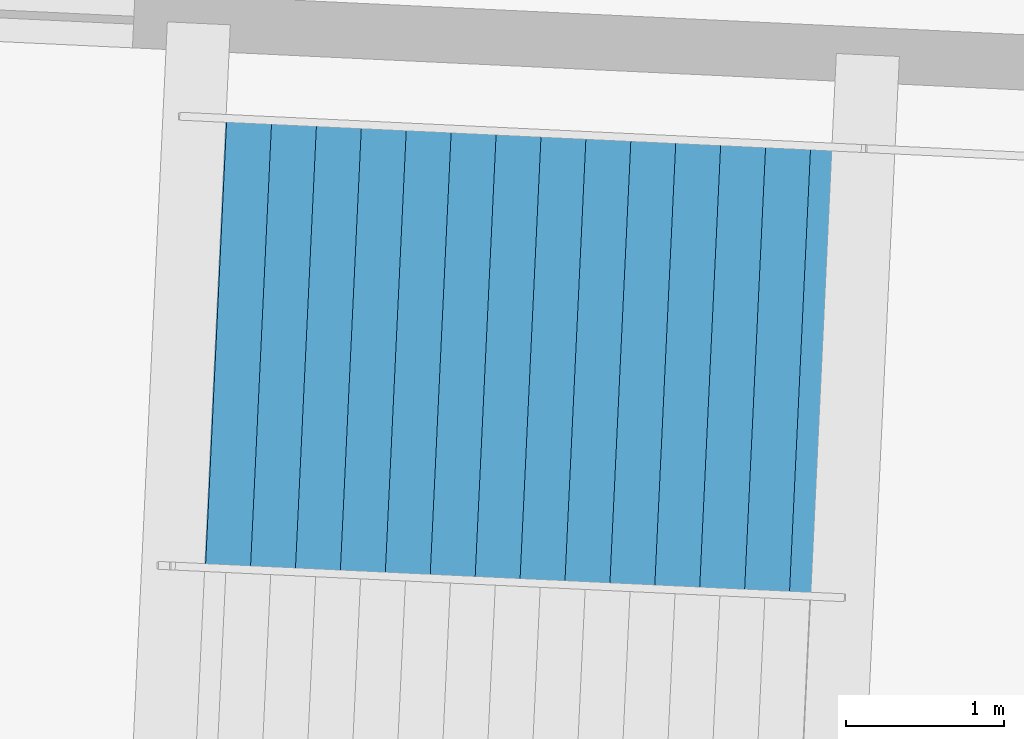
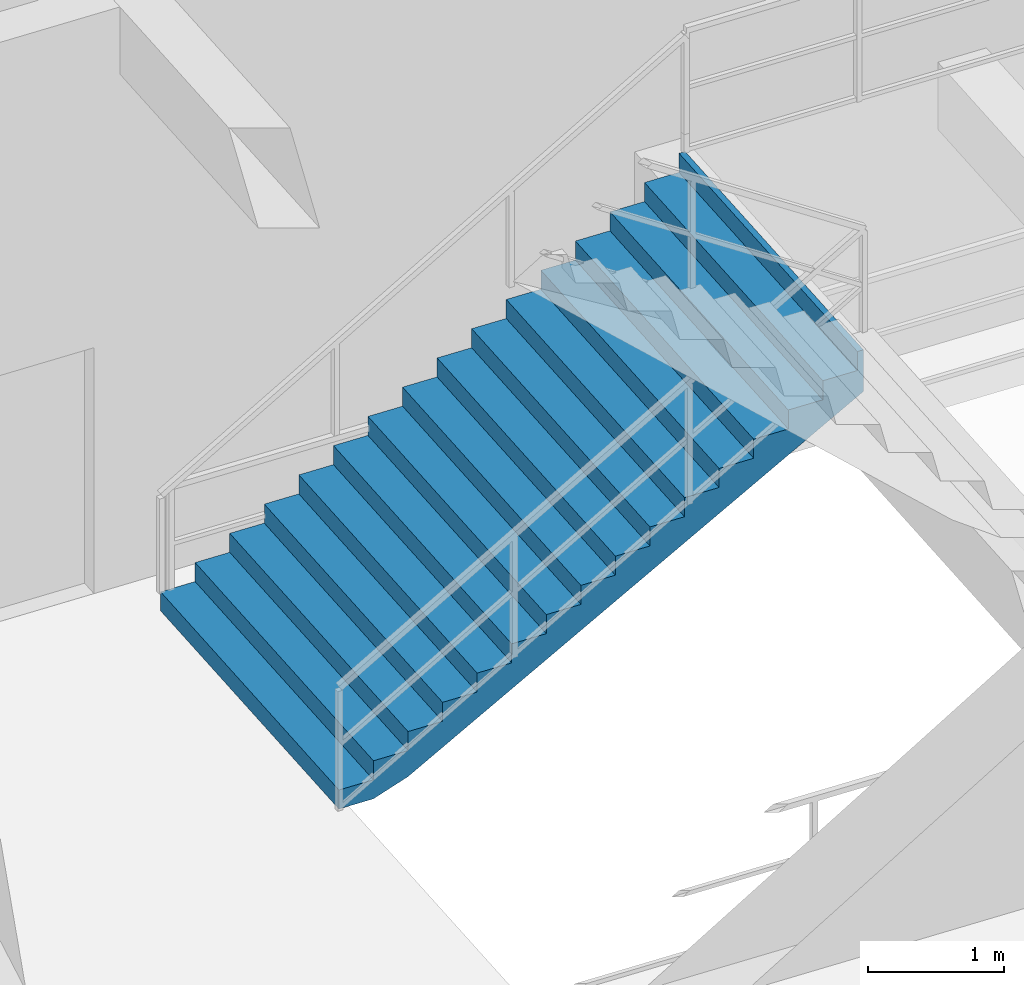
# One storey, part 84 of 103: 1 stair flight, 1 element without a shape of its own.
"""IFC4 building model written with IfcOpenShell, lengths in metres."""

from ifc_helpers import new_model, si_unit, direction, frame, origin, place, context, subcontext, project, spatial, polygons, material, type_object, element, aggregate, save


model = new_model("IFC4")

# Units and contexts
model_context = context("Model", 3, precision=1e-05, world=origin(), true_north=direction((0.0, 1.0)))
body_context = subcontext(model_context, "Body", "Model", "MODEL_VIEW")
ifc_project = project(units=[si_unit("LENGTHUNIT", "METRE"), si_unit("AREAUNIT", "SQUARE_METRE"), si_unit("VOLUMEUNIT", "CUBIC_METRE"), si_unit("PLANEANGLEUNIT", "RADIAN"), si_unit("MASSUNIT", "GRAM", prefix="KILO")], contexts=[model_context])

# Site, building, storey
site_placement = place(None, origin())
site = spatial("IfcSite", under=ifc_project, at=site_placement, CompositionType="ELEMENT")
building_placement = place(site_placement, origin())
building = spatial("IfcBuilding", under=site, at=building_placement, Name="Kazemori Nagisa Stadium", CompositionType="ELEMENT")
storey_placement = place(building_placement, frame((0.0, 0.0, 25.840087890625)))
storey = spatial("IfcBuildingStorey", under=building, at=storey_placement, Name="L05", CompositionType="ELEMENT", Elevation=25.840087890625)

# Stair, stair flight
ifc_material = material(Name="Concrete C36/45 (Fc36)", Category="concrete")
stair_type = type_object("IfcStairType", Name="Stair_CORE_32", PredefinedType="TWO_STRAIGHT_RUN_STAIR", material=ifc_material)
stair_placement = place(storey_placement, origin())
stair = element("IfcStair", 1, at=stair_placement, inside=storey, type_object=stair_type, Name="Exit stair ST12 L05", PredefinedType="TWO_STRAIGHT_RUN_STAIR")
stair_flight_type = type_object("IfcStairFlightType", Name="Flight_CORE_16", PredefinedType="STRAIGHT", material=ifc_material)
stair_flight_placement = place(storey_placement, frame((107.177490234375, 24.015380859375, 0.0), z_axis=(0.0, 0.0, 1.0), x_axis=(0.998881406673, -0.047285678619, 0.0)))
stair_flight = element("IfcStairFlight", 2, at=stair_flight_placement, type_object=stair_flight_type, Name="Exit stair ST12 L05 flight 1", NumberOfRisers=16, NumberOfTreads=15, PredefinedType="STRAIGHT", RiserHeight=0.17, TreadLength=0.285, context=body_context, shape_type="Tessellation", body=[
    polygons([(0.0, -1.425048828125, 0.0), (0.0, -1.425048828125, 0.169921875), (0.284912109375, -1.425048828125, 0.169921875), (0.284912109375, -1.425048828125, 0.340087890625), (0.570068359375, -1.425048828125, 0.340087890625), (0.570068359375, -1.425048828125, 0.510009765625), (0.85498046875, -1.425048828125, 0.510009765625), (0.85498046875, -1.425048828125, 0.679931640625), (1.139892578125, -1.425048828125, 0.679931640625), (1.139892578125, -1.425048828125, 0.85009765625), (1.425048828125, -1.425048828125, 0.85009765625), (1.425048828125, -1.425048828125, 1.02001953125), (1.7099609375, -1.425048828125, 1.02001953125), (1.7099609375, -1.425048828125, 1.18994140625), (1.9951171875, -1.425048828125, 1.18994140625), (1.9951171875, -1.425048828125, 1.360107421875), (2.280029296875, -1.425048828125, 1.360107421875), (2.280029296875, -1.425048828125, 1.530029296875), (2.56494140625, -1.425048828125, 1.530029296875), (2.56494140625, -1.425048828125, 1.699951171875), (2.85009765625, -1.425048828125, 1.699951171875), (2.85009765625, -1.425048828125, 1.8701171875), (3.135009765625, -1.425048828125, 1.8701171875), (3.135009765625, -1.425048828125, 2.0400390625), (3.419921875, -1.425048828125, 2.0400390625), (3.419921875, -1.425048828125, 2.2099609375), (3.705078125, -1.425048828125, 2.2099609375), (3.705078125, -1.425048828125, 2.3798828125), (3.989990234375, -1.425048828125, 2.3798828125), (3.989990234375, -1.425048828125, 2.550048828125), (4.27490234375, -1.425048828125, 2.550048828125), (4.27490234375, -1.425048828125, 2.719970703125), (4.324951171875, -1.425048828125, 2.719970703125), (4.324951171875, -1.425048828125, 2.346923828125), (4.27490234375, -1.425048828125, 2.317138671875), (3.989990234375, -1.425048828125, 2.147216796875), (3.705078125, -1.425048828125, 1.977294921875), (3.419921875, -1.425048828125, 1.80712890625), (3.135009765625, -1.425048828125, 1.63720703125), (2.85009765625, -1.425048828125, 1.46728515625), (2.56494140625, -1.425048828125, 1.297119140625), (2.280029296875, -1.425048828125, 1.127197265625), (1.9951171875, -1.425048828125, 0.957275390625), (1.7099609375, -1.425048828125, 0.787109375), (1.425048828125, -1.425048828125, 0.6171875), (1.139892578125, -1.425048828125, 0.447265625), (0.85498046875, -1.425048828125, 0.277099609375), (0.570068359375, -1.425048828125, 0.107177734375), (0.284912109375, -1.425048828125, 0.0), (0.0, -0.08544921875, 0.0), (0.0, -0.08544921875, 0.169921875), (0.284912109375, -0.08544921875, 0.169921875), (0.284912109375, -0.08544921875, 0.340087890625), (0.570068359375, -0.08544921875, 0.340087890625), (0.570068359375, -0.08544921875, 0.510009765625), (0.85498046875, -0.08544921875, 0.510009765625), (0.85498046875, -0.08544921875, 0.679931640625), (1.139892578125, -0.08544921875, 0.679931640625), (1.139892578125, -0.08544921875, 0.85009765625), (1.425048828125, -0.08544921875, 0.85009765625), (1.425048828125, -0.08544921875, 1.02001953125), (1.7099609375, -0.08544921875, 1.02001953125), (1.7099609375, -0.08544921875, 1.18994140625), (1.9951171875, -0.08544921875, 1.18994140625), (1.9951171875, -0.08544921875, 1.360107421875), (2.280029296875, -0.08544921875, 1.360107421875), (2.280029296875, -0.08544921875, 1.530029296875), (2.56494140625, -0.08544921875, 1.530029296875), (2.56494140625, -0.08544921875, 1.699951171875), (2.85009765625, -0.08544921875, 1.699951171875), (2.85009765625, -0.08544921875, 1.8701171875), (3.135009765625, -0.08544921875, 1.8701171875), (3.135009765625, -0.08544921875, 2.0400390625), (3.419921875, -0.08544921875, 2.0400390625), (3.419921875, -0.08544921875, 2.2099609375), (3.705078125, -0.08544921875, 2.2099609375), (3.705078125, -0.08544921875, 2.3798828125), (3.989990234375, -0.08544921875, 2.3798828125), (3.989990234375, -0.08544921875, 2.550048828125), (4.27490234375, -0.08544921875, 2.550048828125), (4.27490234375, -0.08544921875, 2.719970703125), (4.324951171875, -0.08544921875, 2.719970703125), (4.324951171875, -0.08544921875, 2.346923828125), (4.27490234375, -0.08544921875, 2.317138671875), (3.989990234375, -0.08544921875, 2.147216796875), (3.705078125, -0.08544921875, 1.977294921875), (3.419921875, -0.08544921875, 1.80712890625), (3.135009765625, -0.08544921875, 1.63720703125), (2.85009765625, -0.08544921875, 1.46728515625), (2.56494140625, -0.08544921875, 1.297119140625), (2.280029296875, -0.08544921875, 1.127197265625), (1.9951171875, -0.08544921875, 0.957275390625), (1.7099609375, -0.08544921875, 0.787109375), (1.425048828125, -0.08544921875, 0.6171875), (1.139892578125, -0.08544921875, 0.447265625), (0.85498046875, -0.08544921875, 0.277099609375), (0.570068359375, -0.08544921875, 0.107177734375), (0.284912109375, -0.08544921875, 0.0), (0.0, 0.0, 0.0), (0.0, 0.0, 0.169921875), (0.284912109375, 0.0, 0.169921875), (0.284912109375, 0.0, 0.340087890625), (0.570068359375, 0.0, 0.340087890625), (0.570068359375, 0.0, 0.510009765625), (0.85498046875, 0.0, 0.510009765625), (0.85498046875, 0.0, 0.679931640625), (1.139892578125, 0.0, 0.679931640625), (1.139892578125, 0.0, 0.85009765625), (1.425048828125, 0.0, 0.85009765625), (1.425048828125, 0.0, 1.02001953125), (1.7099609375, 0.0, 1.02001953125), (1.7099609375, 0.0, 1.18994140625), (1.9951171875, 0.0, 1.18994140625), (1.9951171875, 0.0, 1.360107421875), (2.280029296875, 0.0, 1.360107421875), (2.280029296875, 0.0, 1.530029296875), (2.56494140625, 0.0, 1.530029296875), (2.56494140625, 0.0, 1.699951171875), (2.85009765625, 0.0, 1.699951171875), (2.85009765625, 0.0, 1.8701171875), (3.135009765625, 0.0, 1.8701171875), (3.135009765625, 0.0, 2.0400390625), (3.419921875, 0.0, 2.0400390625), (3.419921875, 0.0, 2.2099609375), (3.705078125, 0.0, 2.2099609375), (3.705078125, 0.0, 2.3798828125), (3.989990234375, 0.0, 2.3798828125), (3.989990234375, 0.0, 2.550048828125), (4.27490234375, 0.0, 2.550048828125), (4.27490234375, 0.0, 2.719970703125), (4.324951171875, 0.0, 2.719970703125), (4.324951171875, 0.0, 2.346923828125), (4.27490234375, 0.0, 2.317138671875), (3.989990234375, 0.0, 2.147216796875), (3.705078125, 0.0, 1.977294921875), (3.419921875, 0.0, 1.80712890625), (3.135009765625, 0.0, 1.63720703125), (2.85009765625, 0.0, 1.46728515625), (2.56494140625, 0.0, 1.297119140625), (2.280029296875, 0.0, 1.127197265625), (1.9951171875, 0.0, 0.957275390625), (1.7099609375, 0.0, 0.787109375), (1.425048828125, 0.0, 0.6171875), (1.139892578125, 0.0, 0.447265625), (0.85498046875, 0.0, 0.277099609375), (0.570068359375, 0.0, 0.107177734375), (0.284912109375, 0.0, 0.0), (0.0, 0.08544921875, 0.0), (0.0, 0.08544921875, 0.169921875), (0.284912109375, 0.08544921875, 0.169921875), (0.284912109375, 0.08544921875, 0.340087890625), (0.570068359375, 0.08544921875, 0.340087890625), (0.570068359375, 0.08544921875, 0.510009765625), (0.85498046875, 0.08544921875, 0.510009765625), (0.85498046875, 0.08544921875, 0.679931640625), (1.139892578125, 0.08544921875, 0.679931640625), (1.139892578125, 0.08544921875, 0.85009765625), (1.425048828125, 0.08544921875, 0.85009765625), (1.425048828125, 0.08544921875, 1.02001953125), (1.7099609375, 0.08544921875, 1.02001953125), (1.7099609375, 0.08544921875, 1.18994140625), (1.9951171875, 0.08544921875, 1.18994140625), (1.9951171875, 0.08544921875, 1.360107421875), (2.280029296875, 0.08544921875, 1.360107421875), (2.280029296875, 0.08544921875, 1.530029296875), (2.56494140625, 0.08544921875, 1.530029296875), (2.56494140625, 0.08544921875, 1.699951171875), (2.85009765625, 0.08544921875, 1.699951171875), (2.85009765625, 0.08544921875, 1.8701171875), (3.135009765625, 0.08544921875, 1.8701171875), (3.135009765625, 0.08544921875, 2.0400390625), (3.419921875, 0.08544921875, 2.0400390625), (3.419921875, 0.08544921875, 2.2099609375), (3.705078125, 0.08544921875, 2.2099609375), (3.705078125, 0.08544921875, 2.3798828125), (3.989990234375, 0.08544921875, 2.3798828125), (3.989990234375, 0.08544921875, 2.550048828125), (4.27490234375, 0.08544921875, 2.550048828125), (4.27490234375, 0.08544921875, 2.719970703125), (4.324951171875, 0.08544921875, 2.719970703125), (4.324951171875, 0.08544921875, 2.346923828125), (4.27490234375, 0.08544921875, 2.317138671875), (3.989990234375, 0.08544921875, 2.147216796875), (3.705078125, 0.08544921875, 1.977294921875), (3.419921875, 0.08544921875, 1.80712890625), (3.135009765625, 0.08544921875, 1.63720703125), (2.85009765625, 0.08544921875, 1.46728515625), (2.56494140625, 0.08544921875, 1.297119140625), (2.280029296875, 0.08544921875, 1.127197265625), (1.9951171875, 0.08544921875, 0.957275390625), (1.7099609375, 0.08544921875, 0.787109375), (1.425048828125, 0.08544921875, 0.6171875), (1.139892578125, 0.08544921875, 0.447265625), (0.85498046875, 0.08544921875, 0.277099609375), (0.570068359375, 0.08544921875, 0.107177734375), (0.284912109375, 0.08544921875, 0.0), (0.0, 1.425048828125, 0.0), (0.0, 1.425048828125, 0.169921875), (0.284912109375, 1.425048828125, 0.169921875), (0.284912109375, 1.425048828125, 0.340087890625), (0.570068359375, 1.425048828125, 0.340087890625), (0.570068359375, 1.425048828125, 0.510009765625), (0.85498046875, 1.425048828125, 0.510009765625), (0.85498046875, 1.425048828125, 0.679931640625), (1.139892578125, 1.425048828125, 0.679931640625), (1.139892578125, 1.425048828125, 0.85009765625), (1.425048828125, 1.425048828125, 0.85009765625), (1.425048828125, 1.425048828125, 1.02001953125), (1.7099609375, 1.425048828125, 1.02001953125), (1.7099609375, 1.425048828125, 1.18994140625), (1.9951171875, 1.425048828125, 1.18994140625), (1.9951171875, 1.425048828125, 1.360107421875), (2.280029296875, 1.425048828125, 1.360107421875), (2.280029296875, 1.425048828125, 1.530029296875), (2.56494140625, 1.425048828125, 1.530029296875), (2.56494140625, 1.425048828125, 1.699951171875), (2.85009765625, 1.425048828125, 1.699951171875), (2.85009765625, 1.425048828125, 1.8701171875), (3.135009765625, 1.425048828125, 1.8701171875), (3.135009765625, 1.425048828125, 2.0400390625), (3.419921875, 1.425048828125, 2.0400390625), (3.419921875, 1.425048828125, 2.2099609375), (3.705078125, 1.425048828125, 2.2099609375), (3.705078125, 1.425048828125, 2.3798828125), (3.989990234375, 1.425048828125, 2.3798828125), (3.989990234375, 1.425048828125, 2.550048828125), (4.27490234375, 1.425048828125, 2.550048828125), (4.27490234375, 1.425048828125, 2.719970703125), (4.324951171875, 1.425048828125, 2.719970703125), (4.324951171875, 1.425048828125, 2.346923828125), (4.27490234375, 1.425048828125, 2.317138671875), (3.989990234375, 1.425048828125, 2.147216796875), (3.705078125, 1.425048828125, 1.977294921875), (3.419921875, 1.425048828125, 1.80712890625), (3.135009765625, 1.425048828125, 1.63720703125), (2.85009765625, 1.425048828125, 1.46728515625), (2.56494140625, 1.425048828125, 1.297119140625), (2.280029296875, 1.425048828125, 1.127197265625), (1.9951171875, 1.425048828125, 0.957275390625), (1.7099609375, 1.425048828125, 0.787109375), (1.425048828125, 1.425048828125, 0.6171875), (1.139892578125, 1.425048828125, 0.447265625), (0.85498046875, 1.425048828125, 0.277099609375), (0.570068359375, 1.425048828125, 0.107177734375), (0.284912109375, 1.425048828125, 0.0)], [[[1, 2, 51]], [[1, 51, 50]], [[2, 3, 52]], [[2, 52, 51]], [[3, 4, 53]], [[3, 53, 52]], [[4, 5, 54]], [[4, 54, 53]], [[5, 6, 55]], [[5, 55, 54]], [[6, 7, 56]], [[6, 56, 55]], [[7, 8, 57]], [[7, 57, 56]], [[8, 9, 58]], [[8, 58, 57]], [[9, 10, 59]], [[9, 59, 58]], [[10, 11, 60]], [[10, 60, 59]], [[11, 12, 61]], [[11, 61, 60]], [[12, 13, 62]], [[12, 62, 61]], [[13, 14, 63]], [[13, 63, 62]], [[14, 15, 64]], [[14, 64, 63]], [[15, 16, 65]], [[15, 65, 64]], [[16, 17, 66]], [[16, 66, 65]], [[17, 18, 67]], [[17, 67, 66]], [[18, 19, 68]], [[18, 68, 67]], [[19, 20, 69]], [[19, 69, 68]], [[20, 21, 70]], [[20, 70, 69]], [[21, 22, 71]], [[21, 71, 70]], [[22, 23, 72]], [[22, 72, 71]], [[23, 24, 73]], [[23, 73, 72]], [[24, 25, 74]], [[24, 74, 73]], [[25, 26, 75]], [[25, 75, 74]], [[26, 27, 76]], [[26, 76, 75]], [[27, 28, 77]], [[27, 77, 76]], [[28, 29, 78]], [[28, 78, 77]], [[29, 30, 79]], [[29, 79, 78]], [[30, 31, 80]], [[30, 80, 79]], [[31, 32, 81]], [[31, 81, 80]], [[32, 33, 82]], [[32, 82, 81]], [[33, 34, 83]], [[33, 83, 82]], [[34, 35, 84]], [[34, 84, 83]], [[35, 36, 85]], [[35, 85, 84]], [[36, 37, 86]], [[36, 86, 85]], [[37, 38, 87]], [[37, 87, 86]], [[38, 39, 88]], [[38, 88, 87]], [[39, 40, 89]], [[39, 89, 88]], [[40, 41, 90]], [[40, 90, 89]], [[41, 42, 91]], [[41, 91, 90]], [[42, 43, 92]], [[42, 92, 91]], [[43, 44, 93]], [[43, 93, 92]], [[44, 45, 94]], [[44, 94, 93]], [[45, 46, 95]], [[45, 95, 94]], [[46, 47, 96]], [[46, 96, 95]], [[47, 48, 97]], [[47, 97, 96]], [[48, 49, 98]], [[48, 98, 97]], [[49, 1, 50]], [[49, 50, 98]], [[50, 51, 100]], [[50, 100, 99]], [[51, 52, 101]], [[51, 101, 100]], [[52, 53, 102]], [[52, 102, 101]], [[53, 54, 103]], [[53, 103, 102]], [[54, 55, 104]], [[54, 104, 103]], [[55, 56, 105]], [[55, 105, 104]], [[56, 57, 106]], [[56, 106, 105]], [[57, 58, 107]], [[57, 107, 106]], [[58, 59, 108]], [[58, 108, 107]], [[59, 60, 109]], [[59, 109, 108]], [[60, 61, 110]], [[60, 110, 109]], [[61, 62, 111]], [[61, 111, 110]], [[62, 63, 112]], [[62, 112, 111]], [[63, 64, 113]], [[63, 113, 112]], [[64, 65, 114]], [[64, 114, 113]], [[65, 66, 115]], [[65, 115, 114]], [[66, 67, 116]], [[66, 116, 115]], [[67, 68, 117]], [[67, 117, 116]], [[68, 69, 118]], [[68, 118, 117]], [[69, 70, 119]], [[69, 119, 118]], [[70, 71, 120]], [[70, 120, 119]], [[71, 72, 121]], [[71, 121, 120]], [[72, 73, 122]], [[72, 122, 121]], [[73, 74, 123]], [[73, 123, 122]], [[74, 75, 124]], [[74, 124, 123]], [[75, 76, 125]], [[75, 125, 124]], [[76, 77, 126]], [[76, 126, 125]], [[77, 78, 127]], [[77, 127, 126]], [[78, 79, 128]], [[78, 128, 127]], [[79, 80, 129]], [[79, 129, 128]], [[80, 81, 130]], [[80, 130, 129]], [[81, 82, 131]], [[81, 131, 130]], [[82, 83, 132]], [[82, 132, 131]], [[83, 84, 133]], [[83, 133, 132]], [[84, 85, 134]], [[84, 134, 133]], [[85, 86, 135]], [[85, 135, 134]], [[86, 87, 136]], [[86, 136, 135]], [[87, 88, 137]], [[87, 137, 136]], [[88, 89, 138]], [[88, 138, 137]], [[89, 90, 139]], [[89, 139, 138]], [[90, 91, 140]], [[90, 140, 139]], [[91, 92, 141]], [[91, 141, 140]], [[92, 93, 142]], [[92, 142, 141]], [[93, 94, 143]], [[93, 143, 142]], [[94, 95, 144]], [[94, 144, 143]], [[95, 96, 145]], [[95, 145, 144]], [[96, 97, 146]], [[96, 146, 145]], [[97, 98, 147]], [[97, 147, 146]], [[98, 50, 99]], [[98, 99, 147]], [[99, 100, 149]], [[99, 149, 148]], [[100, 101, 150]], [[100, 150, 149]], [[101, 102, 151]], [[101, 151, 150]], [[102, 103, 152]], [[102, 152, 151]], [[103, 104, 153]], [[103, 153, 152]], [[104, 105, 154]], [[104, 154, 153]], [[105, 106, 155]], [[105, 155, 154]], [[106, 107, 156]], [[106, 156, 155]], [[107, 108, 157]], [[107, 157, 156]], [[108, 109, 158]], [[108, 158, 157]], [[109, 110, 159]], [[109, 159, 158]], [[110, 111, 160]], [[110, 160, 159]], [[111, 112, 161]], [[111, 161, 160]], [[112, 113, 162]], [[112, 162, 161]], [[113, 114, 163]], [[113, 163, 162]], [[114, 115, 164]], [[114, 164, 163]], [[115, 116, 165]], [[115, 165, 164]], [[116, 117, 166]], [[116, 166, 165]], [[117, 118, 167]], [[117, 167, 166]], [[118, 119, 168]], [[118, 168, 167]], [[119, 120, 169]], [[119, 169, 168]], [[120, 121, 170]], [[120, 170, 169]], [[121, 122, 171]], [[121, 171, 170]], [[122, 123, 172]], [[122, 172, 171]], [[123, 124, 173]], [[123, 173, 172]], [[124, 125, 174]], [[124, 174, 173]], [[125, 126, 175]], [[125, 175, 174]], [[126, 127, 176]], [[126, 176, 175]], [[127, 128, 177]], [[127, 177, 176]], [[128, 129, 178]], [[128, 178, 177]], [[129, 130, 179]], [[129, 179, 178]], [[130, 131, 180]], [[130, 180, 179]], [[131, 132, 181]], [[131, 181, 180]], [[132, 133, 182]], [[132, 182, 181]], [[133, 134, 183]], [[133, 183, 182]], [[134, 135, 184]], [[134, 184, 183]], [[135, 136, 185]], [[135, 185, 184]], [[136, 137, 186]], [[136, 186, 185]], [[137, 138, 187]], [[137, 187, 186]], [[138, 139, 188]], [[138, 188, 187]], [[139, 140, 189]], [[139, 189, 188]], [[140, 141, 190]], [[140, 190, 189]], [[141, 142, 191]], [[141, 191, 190]], [[142, 143, 192]], [[142, 192, 191]], [[143, 144, 193]], [[143, 193, 192]], [[144, 145, 194]], [[144, 194, 193]], [[145, 146, 195]], [[145, 195, 194]], [[146, 147, 196]], [[146, 196, 195]], [[147, 99, 148]], [[147, 148, 196]], [[148, 149, 198]], [[148, 198, 197]], [[149, 150, 199]], [[149, 199, 198]], [[150, 151, 200]], [[150, 200, 199]], [[151, 152, 201]], [[151, 201, 200]], [[152, 153, 202]], [[152, 202, 201]], [[153, 154, 203]], [[153, 203, 202]], [[154, 155, 204]], [[154, 204, 203]], [[155, 156, 205]], [[155, 205, 204]], [[156, 157, 206]], [[156, 206, 205]], [[157, 158, 207]], [[157, 207, 206]], [[158, 159, 208]], [[158, 208, 207]], [[159, 160, 209]], [[159, 209, 208]], [[160, 161, 210]], [[160, 210, 209]], [[161, 162, 211]], [[161, 211, 210]], [[162, 163, 212]], [[162, 212, 211]], [[163, 164, 213]], [[163, 213, 212]], [[164, 165, 214]], [[164, 214, 213]], [[165, 166, 215]], [[165, 215, 214]], [[166, 167, 216]], [[166, 216, 215]], [[167, 168, 217]], [[167, 217, 216]], [[168, 169, 218]], [[168, 218, 217]], [[169, 170, 219]], [[169, 219, 218]], [[170, 171, 220]], [[170, 220, 219]], [[171, 172, 221]], [[171, 221, 220]], [[172, 173, 222]], [[172, 222, 221]], [[173, 174, 223]], [[173, 223, 222]], [[174, 175, 224]], [[174, 224, 223]], [[175, 176, 225]], [[175, 225, 224]], [[176, 177, 226]], [[176, 226, 225]], [[177, 178, 227]], [[177, 227, 226]], [[178, 179, 228]], [[178, 228, 227]], [[179, 180, 229]], [[179, 229, 228]], [[180, 181, 230]], [[180, 230, 229]], [[181, 182, 231]], [[181, 231, 230]], [[182, 183, 232]], [[182, 232, 231]], [[183, 184, 233]], [[183, 233, 232]], [[184, 185, 234]], [[184, 234, 233]], [[185, 186, 235]], [[185, 235, 234]], [[186, 187, 236]], [[186, 236, 235]], [[187, 188, 237]], [[187, 237, 236]], [[188, 189, 238]], [[188, 238, 237]], [[189, 190, 239]], [[189, 239, 238]], [[190, 191, 240]], [[190, 240, 239]], [[191, 192, 241]], [[191, 241, 240]], [[192, 193, 242]], [[192, 242, 241]], [[193, 194, 243]], [[193, 243, 242]], [[194, 195, 244]], [[194, 244, 243]], [[195, 196, 245]], [[195, 245, 244]], [[196, 148, 197]], [[196, 197, 245]], [[3, 2, 1]], [[197, 198, 199]], [[49, 3, 1]], [[197, 199, 245]], [[48, 3, 49]], [[245, 199, 244]], [[5, 3, 48]], [[244, 199, 201]], [[5, 4, 3]], [[199, 200, 201]], [[47, 5, 48]], [[244, 201, 243]], [[7, 5, 47]], [[243, 201, 203]], [[7, 6, 5]], [[201, 202, 203]], [[46, 7, 47]], [[243, 203, 242]], [[9, 7, 46]], [[242, 203, 205]], [[9, 8, 7]], [[203, 204, 205]], [[45, 9, 46]], [[242, 205, 241]], [[11, 9, 45]], [[241, 205, 207]], [[11, 10, 9]], [[205, 206, 207]], [[44, 11, 45]], [[241, 207, 240]], [[13, 11, 44]], [[240, 207, 209]], [[13, 12, 11]], [[207, 208, 209]], [[43, 13, 44]], [[240, 209, 239]], [[15, 13, 43]], [[239, 209, 211]], [[15, 14, 13]], [[209, 210, 211]], [[42, 15, 43]], [[239, 211, 238]], [[17, 15, 42]], [[238, 211, 213]], [[17, 16, 15]], [[211, 212, 213]], [[41, 17, 42]], [[238, 213, 237]], [[19, 17, 41]], [[237, 213, 215]], [[19, 18, 17]], [[213, 214, 215]], [[40, 19, 41]], [[237, 215, 236]], [[21, 19, 40]], [[236, 215, 217]], [[21, 20, 19]], [[215, 216, 217]], [[39, 21, 40]], [[236, 217, 235]], [[23, 21, 39]], [[235, 217, 219]], [[23, 22, 21]], [[217, 218, 219]], [[38, 23, 39]], [[235, 219, 234]], [[25, 23, 38]], [[234, 219, 221]], [[25, 24, 23]], [[219, 220, 221]], [[37, 25, 38]], [[234, 221, 233]], [[27, 25, 37]], [[233, 221, 223]], [[27, 26, 25]], [[221, 222, 223]], [[36, 27, 37]], [[233, 223, 232]], [[29, 27, 36]], [[232, 223, 225]], [[29, 28, 27]], [[223, 224, 225]], [[35, 29, 36]], [[232, 225, 231]], [[31, 29, 35]], [[231, 225, 227]], [[31, 30, 29]], [[225, 226, 227]], [[34, 31, 35]], [[231, 227, 230]], [[33, 31, 34]], [[230, 227, 229]], [[33, 32, 31]], [[227, 228, 229]]], closed=True),
])
aggregate(stair, [stair_flight])

save(model, "model.ifc")
